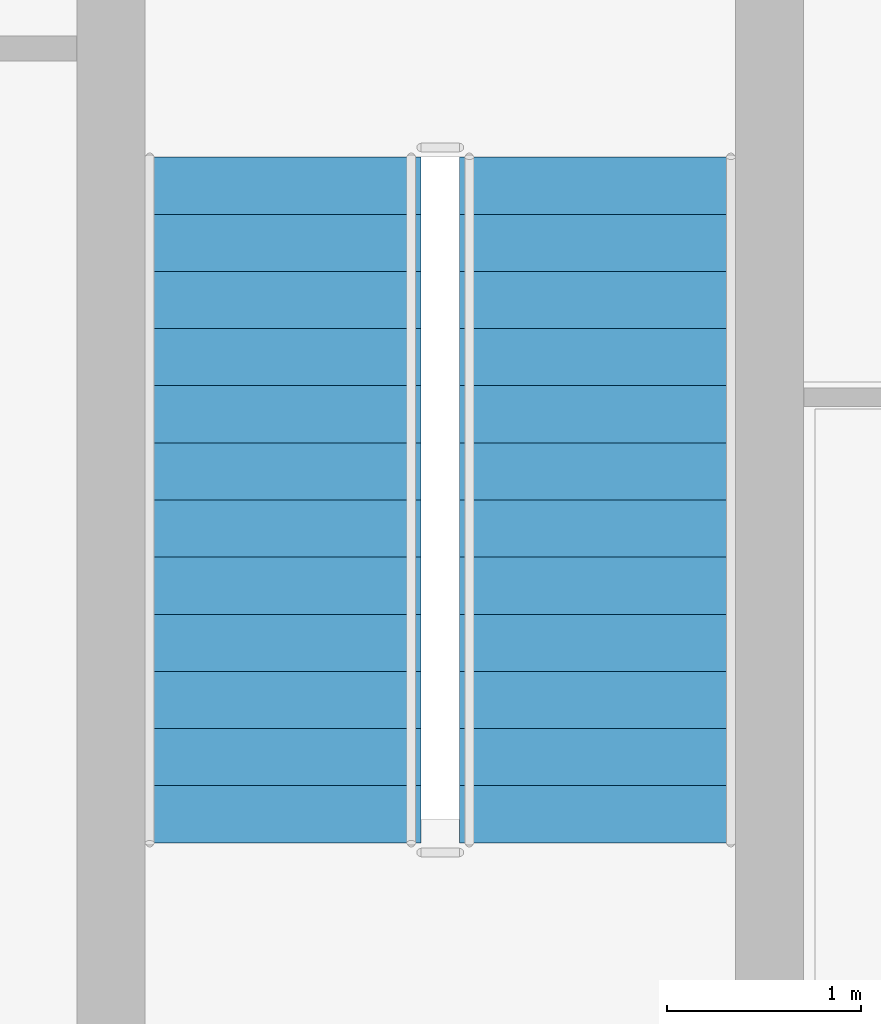
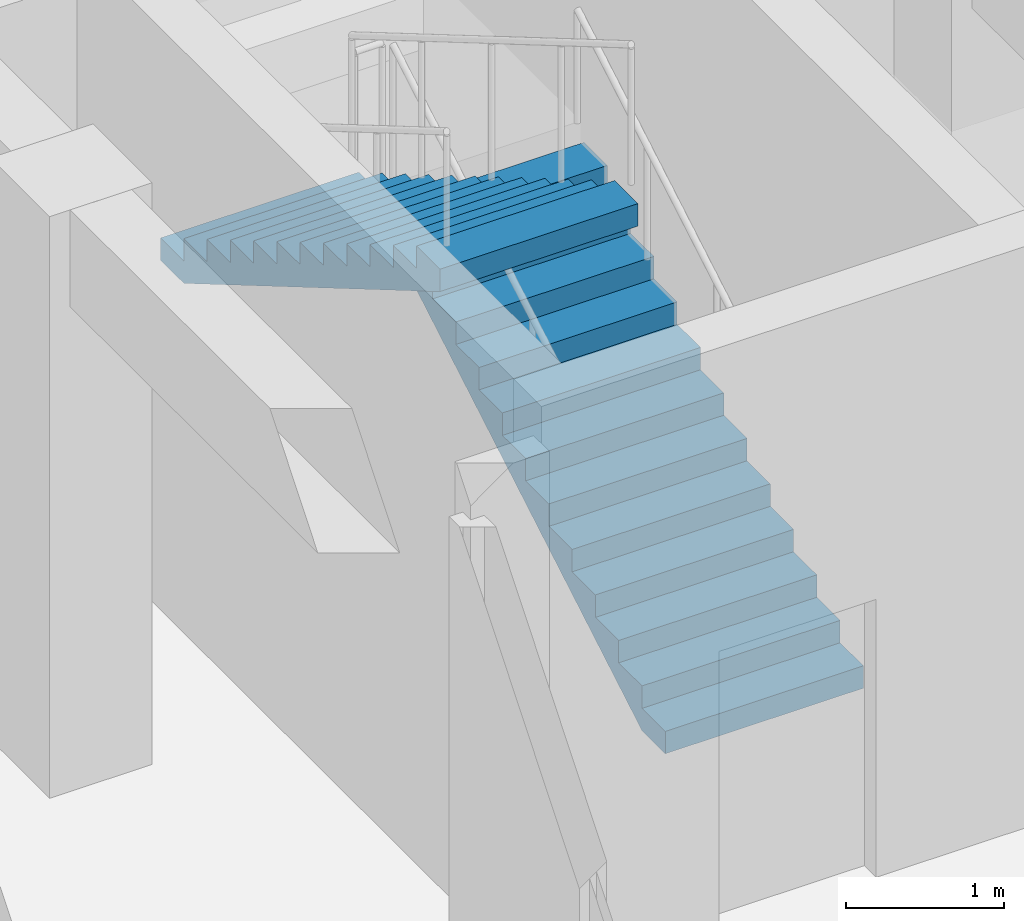
# One storey, part 14 of 20: 2 stair flights, 1 element without a shape of its own.
"""IFC4 building model written with IfcOpenShell, lengths in metres."""

from ifc_helpers import new_model, si_unit, direction, frame, origin, place, context, subcontext, project, spatial, polyline, outline, extrude, material, type_object, element, aggregate, save


model = new_model("IFC4")

# Units and contexts
model_context = context("Model", 3, precision=1e-05, world=origin(), true_north=direction((0.0, 1.0)))
body_context = subcontext(model_context, "Body", "Model", "MODEL_VIEW")
ifc_project = project(units=[si_unit("LENGTHUNIT", "METRE"), si_unit("AREAUNIT", "SQUARE_METRE"), si_unit("VOLUMEUNIT", "CUBIC_METRE"), si_unit("PLANEANGLEUNIT", "RADIAN"), si_unit("MASSUNIT", "GRAM", prefix="KILO")], contexts=[model_context])

# Site, building, storey
site_placement = place(None, origin())
site = spatial("IfcSite", under=ifc_project, at=site_placement, CompositionType="ELEMENT")
building_placement = place(site_placement, origin())
building = spatial("IfcBuilding", under=site, at=building_placement, Name="Kolvaren Faculty of Natural Sciences", CompositionType="ELEMENT")
storey_placement = place(building_placement, frame((0.0, 0.0, 24.0)))
storey = spatial("IfcBuildingStorey", under=building, at=storey_placement, Name="L05", CompositionType="ELEMENT", Elevation=24.0)

# Stair, stair flights
ifc_material = material(Name="Concrete C35/45", Category="concrete")
stair_type = type_object("IfcStairType", Name="DoglegStair_H4500", PredefinedType="HALF_TURN_STAIR", material=ifc_material)
stair_placement = place(storey_placement, origin())
stair = element("IfcStair", 1, at=stair_placement, inside=storey, type_object=stair_type, Name="L05 Protected exit stair ST-1", PredefinedType="HALF_TURN_STAIR")
stair_flight_type = type_object("IfcStairFlightType", Name="StairFlight_R1731", PredefinedType="STRAIGHT", material=ifc_material)
stair_flight_1_placement = place(storey_placement, frame((162.574951171875, 73.89990234375, 0.0), z_axis=(0.0, 0.0, 1.0), x_axis=(0.0, 1.0, 0.0)))
stair_flight_1 = element("IfcStairFlight", 2, at=stair_flight_1_placement, type_object=stair_flight_type, Name="ST-1 flight 1", NumberOfRisers=13, NumberOfTreads=12, PredefinedType="STRAIGHT", RiserHeight=0.173076923, TreadLength=0.295, context=body_context, shape_type="SweptSolid", body=[
    extrude(outline(polyline([(0.0, 0.0), (0.0, 0.173095703125), (0.294921875, 0.173095703125), (0.294921875, 0.34619140625), (0.590087890625, 0.34619140625), (0.590087890625, 0.519287109375), (0.885009765625, 0.519287109375), (0.885009765625, 0.6923828125), (1.179931640625, 0.6923828125), (1.179931640625, 0.865478515625), (1.47509765625, 0.865478515625), (1.47509765625, 1.03857421875), (1.77001953125, 1.03857421875), (1.77001953125, 1.21142578125), (2.06494140625, 1.21142578125), (2.06494140625, 1.384521484375), (2.360107421875, 1.384521484375), (2.360107421875, 1.5576171875), (2.655029296875, 1.5576171875), (2.655029296875, 1.730712890625), (2.949951171875, 1.730712890625), (2.949951171875, 1.90380859375), (3.2451171875, 1.90380859375), (3.2451171875, 2.076904296875), (3.5400390625, 2.076904296875), (3.5400390625, 2.25), (3.5400390625, 1.903076171875), (0.296142578125, 0.0), (0.0, 0.0)])), frame((0.0, 0.72509765625, 0.0), z_axis=(0.0, -1.0, 0.0), x_axis=(1.0, 0.0, 0.0)), (0.0, 0.0, 1.0), 1.449951171875),
])
stair_flight_2_placement = place(storey_placement, frame((160.925048828125, 77.43994140625, 2.25), z_axis=(0.0, 0.0, 1.0), x_axis=(0.0, -1.0, 0.0)))
stair_flight_2 = element("IfcStairFlight", 3, at=stair_flight_2_placement, type_object=stair_flight_type, Name="ST-1 flight 2", NumberOfRisers=13, NumberOfTreads=12, PredefinedType="STRAIGHT", RiserHeight=0.173076923, TreadLength=0.295, context=body_context, shape_type="SweptSolid", body=[
    extrude(outline(polyline([(0.0, 0.0), (0.0, 0.173095703125), (0.294921875, 0.173095703125), (0.294921875, 0.34619140625), (0.590087890625, 0.34619140625), (0.590087890625, 0.519287109375), (0.885009765625, 0.519287109375), (0.885009765625, 0.6923828125), (1.179931640625, 0.6923828125), (1.179931640625, 0.865478515625), (1.47509765625, 0.865478515625), (1.47509765625, 1.03857421875), (1.77001953125, 1.03857421875), (1.77001953125, 1.21142578125), (2.06494140625, 1.21142578125), (2.06494140625, 1.384521484375), (2.360107421875, 1.384521484375), (2.360107421875, 1.5576171875), (2.655029296875, 1.5576171875), (2.655029296875, 1.730712890625), (2.949951171875, 1.730712890625), (2.949951171875, 1.90380859375), (3.2451171875, 1.90380859375), (3.2451171875, 2.076904296875), (3.5400390625, 2.076904296875), (3.5400390625, 2.25), (3.5400390625, 1.903076171875), (0.296142578125, 0.0), (0.0, 0.0)])), frame((0.0, 0.72509765625, 0.0), z_axis=(0.0, -1.0, 0.0), x_axis=(1.0, 0.0, 0.0)), (0.0, 0.0, 1.0), 1.449951171875),
])
aggregate(stair, [stair_flight_1, stair_flight_2])

save(model, "model.ifc")
